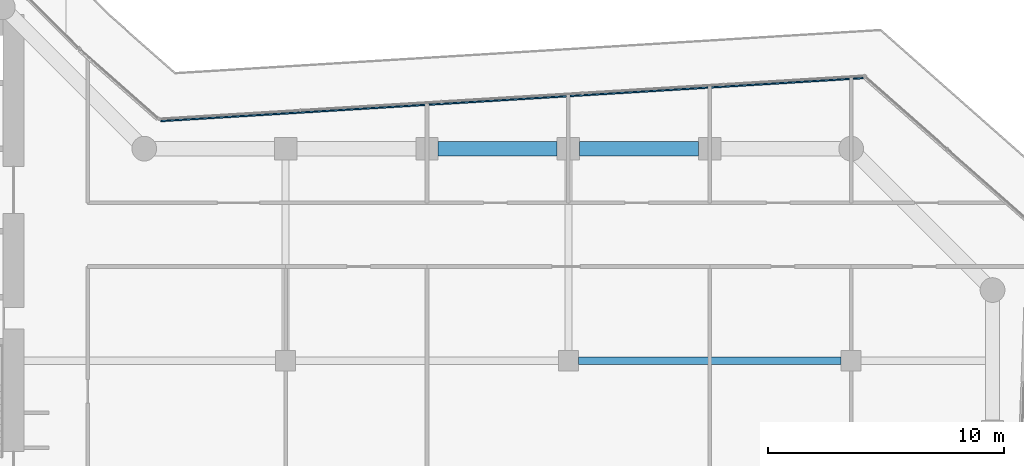
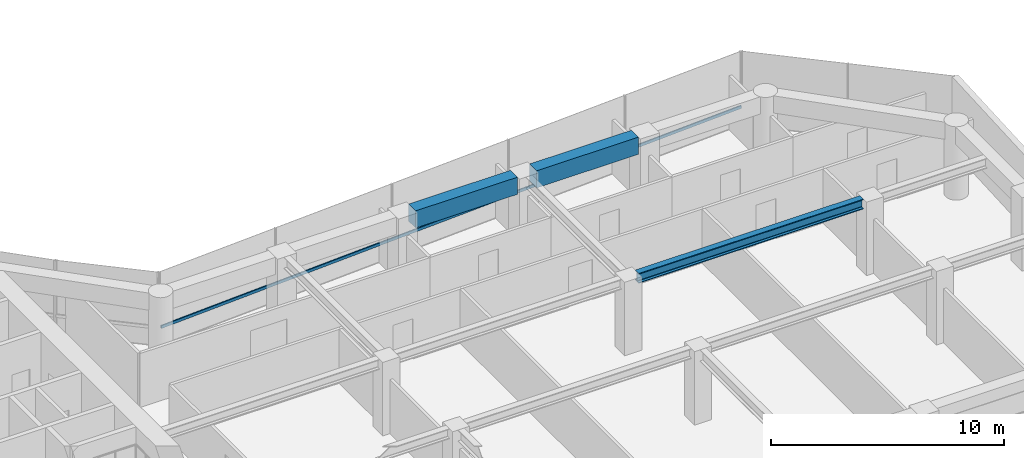
# One storey, part 10 of 29: 3 beams, 1 member, 1 element without a shape of its own.
"""IFC4 building model written with IfcOpenShell, lengths in metres."""

from ifc_helpers import new_model, si_unit, direction, frame, origin, origin_2d, place, context, subcontext, project, spatial, rectangle, i_section, extrude, material, layer, layer_set, material_profile, profile_set, type_object, element, aggregate, save


model = new_model("IFC4")

# Units and contexts
model_context = context("Model", 3, precision=1e-05, world=origin(), true_north=direction((0.0, 1.0)))
body_context = subcontext(model_context, "Body", "Model", "MODEL_VIEW")
ifc_project = project(units=[si_unit("LENGTHUNIT", "METRE"), si_unit("AREAUNIT", "SQUARE_METRE"), si_unit("VOLUMEUNIT", "CUBIC_METRE"), si_unit("PLANEANGLEUNIT", "RADIAN"), si_unit("MASSUNIT", "GRAM", prefix="KILO")], contexts=[model_context])

# Site, building, storey
site_placement = place(None, origin())
site = spatial("IfcSite", under=ifc_project, at=site_placement, CompositionType="ELEMENT")
building_placement = place(site_placement, origin())
building = spatial("IfcBuilding", under=site, at=building_placement, Name="Welwitschia Terrace Campus", CompositionType="ELEMENT")
storey_placement = place(building_placement, frame((0.0, 0.0, 66.800048828125)))
storey = spatial("IfcBuildingStorey", under=building, at=storey_placement, Name="L15", CompositionType="ELEMENT", Elevation=66.800048828125)

# Beams
ifc_material_1 = material(Name="Steel S355", Category="steel")
ifc_material_profile_1 = material_profile(ifc_material_1, i_section(OverallWidth=0.305908203125, OverallDepth=0.52392578125, WebThickness=0.02099609375, FlangeThickness=0.0400390625, FilletRadius=0.027099609375, at=origin_2d()))
ifc_profile_set_1 = profile_set([ifc_material_profile_1], Name="Steel S355")
beam_type_1 = type_object("IfcBeamType", Name="Interior girder HE 500 M", PredefinedType="BEAM", material=ifc_profile_set_1)
beam_placement = place(storey_placement, frame((48.425537109375, 11.0, 3.587890625), z_axis=(1.0, 0.0, 0.0), x_axis=(0.0, 1.0, 0.0)))
element("IfcBeam", 1, at=beam_placement, inside=storey, type_object=beam_type_1, Name="Girder GB2", PredefinedType="BEAM", context=body_context, shape_type="SweptSolid", body=[
    extrude(i_section(OverallWidth=0.305908203125, OverallDepth=0.52392578125, WebThickness=0.02099609375, FlangeThickness=0.0400390625, FilletRadius=0.027099609375, at=origin_2d()), origin(), (0.0, 0.0, 1.0), 11.14892578125),
])
ifc_material_2 = material(Name="Concrete C60/75", Category="concrete")
ifc_material_profile_2 = material_profile(ifc_material_2, rectangle(XDim=0.60009765625, YDim=0.89990234375, at=origin_2d()))
ifc_profile_set_2 = profile_set([ifc_material_profile_2], Name="Concrete C60/75")
beam_type_2 = type_object("IfcBeamType", Name="Ring spandrel 600x900", PredefinedType="SPANDREL", material=ifc_profile_set_2)
for number, where, z_axis, x_axis, name in (
    (2, (53.5244140625, 20.0, 3.39990234375), (-1.0, 0.0, 0.0), (0.0, -1.0, 0.0), "Spandrel SP2"),
    (3, (47.5244140625, 20.0, 3.39990234375), (-1.0, 0.0, 0.0), (0.0, -1.0, 0.0), "Spandrel SP2"),
):
    element("IfcBeam", number, at=place(storey_placement, frame(where, z_axis=z_axis, x_axis=x_axis)), inside=storey, type_object=beam_type_2, Name=name, PredefinedType="SPANDREL", context=body_context, shape_type="SweptSolid", body=[
        extrude(rectangle(XDim=0.60009765625, YDim=0.89990234375, at=origin_2d()), origin(), (0.0, 0.0, 1.0), 5.048828125),
    ])

# Curtain wall, member
ifc_material_3 = material(Name="Bronze anodised aluminium", Category="aluminium")
ifc_layer = layer(ifc_material_3, 0.1201171875)
ifc_layer_set = layer_set([ifc_layer], Name="Bronze anodised aluminium")
curtain_wall_type = type_object("IfcCurtainWallType", Name="Curtain wall CW2 tower 6000", PredefinedType="NOTDEFINED", material=ifc_layer_set)
curtain_wall_placement = place(storey_placement, origin())
curtain_wall = element("IfcCurtainWall", 4, at=curtain_wall_placement, inside=storey, type_object=curtain_wall_type, Name="CW L15.7.0", PredefinedType="NOTDEFINED")
ifc_material_4 = material(Name="Bronze anodised aluminium", Category="aluminium")
ifc_material_profile_3 = material_profile(ifc_material_4, rectangle(XDim=0.06005859375, YDim=0.14990234375, at=origin_2d()))
ifc_profile_set_3 = profile_set([ifc_material_profile_3], Name="Bronze anodised aluminium")
member_type = type_object("IfcMemberType", Name="Transom 60x150", PredefinedType="USERDEFINED", material=ifc_profile_set_3)
member_placement = place(storey_placement, frame((60.51904296875, 22.99560546875, 1.0), z_axis=(-0.99813461205, -0.061051586618, 0.0), x_axis=(0.061051586618, -0.99813461205, 0.0)))
member = element("IfcMember", 5, at=member_placement, type_object=member_type, Name="Transom L15.7.0", ObjectType="TRANSOM", PredefinedType="USERDEFINED", context=body_context, shape_type="SweptSolid", body=[
    extrude(rectangle(XDim=0.06005859375, YDim=0.14990234375, at=origin_2d()), origin(), (0.0, 0.0, 1.0), 29.8798828125),
])
aggregate(curtain_wall, [member])

save(model, "model.ifc")
